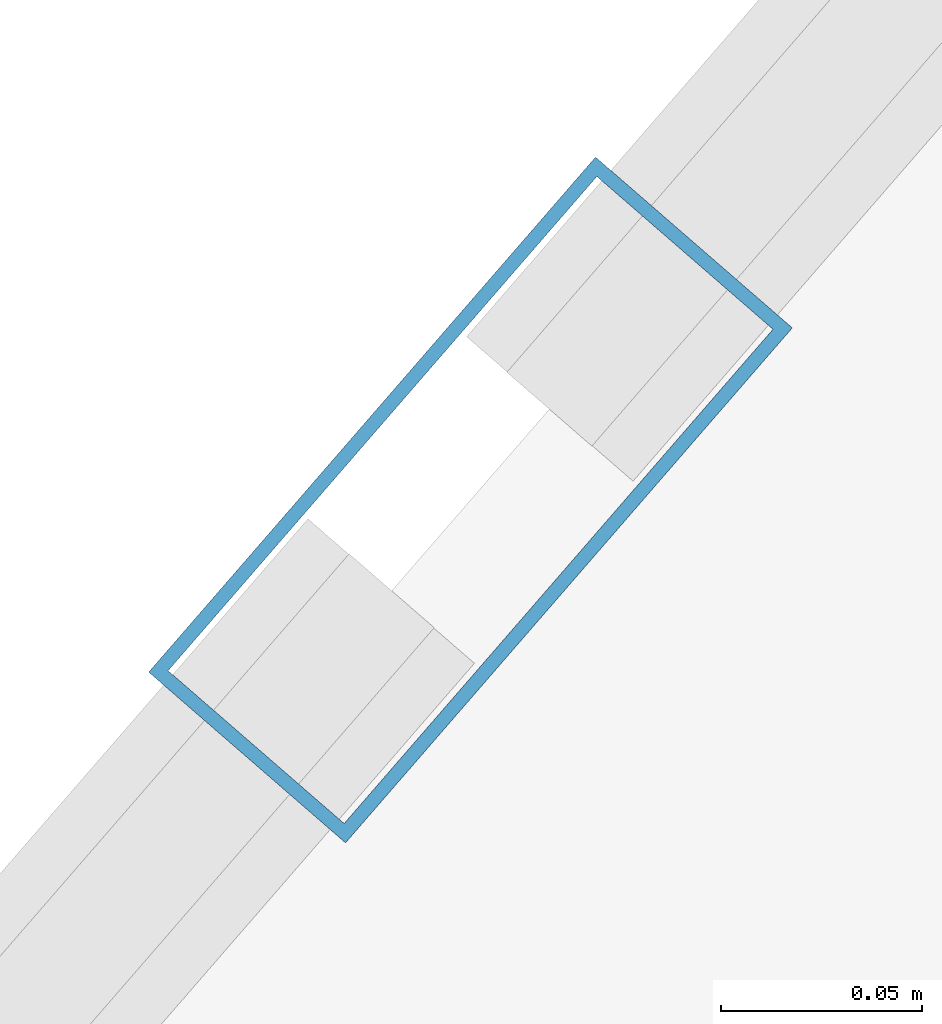
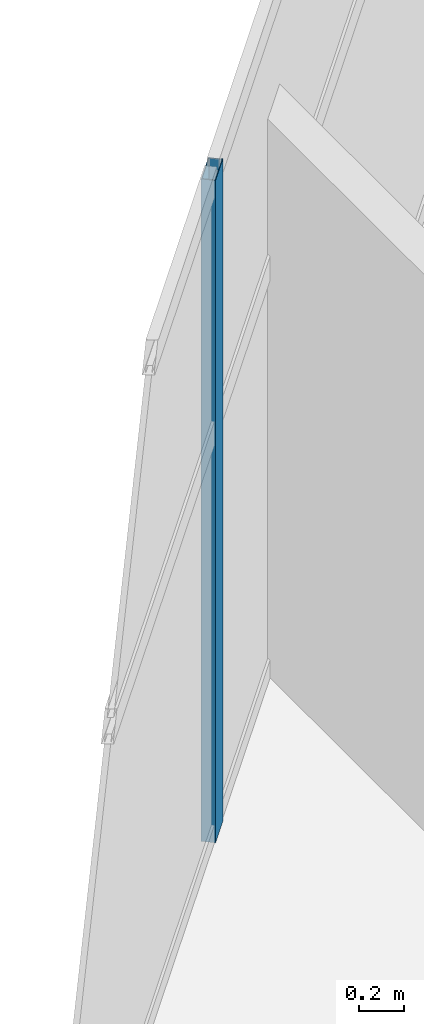
# One storey, part 13 of 29: 1 member, 1 element without a shape of its own.
"""IFC4 building model written with IfcOpenShell, lengths in metres."""

from ifc_helpers import new_model, si_unit, direction, frame, origin, origin_2d, place, context, subcontext, project, spatial, hollow_rectangle, extrude, material, layer, layer_set, material_profile, profile_set, type_object, element, aggregate, save


model = new_model("IFC4")

# Units and contexts
model_context = context("Model", 3, precision=1e-05, world=origin(), true_north=direction((0.0, 1.0)))
body_context = subcontext(model_context, "Body", "Model", "MODEL_VIEW")
ifc_project = project(units=[si_unit("LENGTHUNIT", "METRE"), si_unit("AREAUNIT", "SQUARE_METRE"), si_unit("VOLUMEUNIT", "CUBIC_METRE"), si_unit("PLANEANGLEUNIT", "RADIAN"), si_unit("MASSUNIT", "GRAM", prefix="KILO")], contexts=[model_context])

# Site, building, storey
site_placement = place(None, origin())
site = spatial("IfcSite", under=ifc_project, at=site_placement, CompositionType="ELEMENT")
building_placement = place(site_placement, origin())
building = spatial("IfcBuilding", under=site, at=building_placement, Name="Calvorn Quay Hotel", CompositionType="ELEMENT")
storey_placement = place(building_placement, frame((0.0, 0.0, 247.60009765625)))
storey = spatial("IfcBuildingStorey", under=building, at=storey_placement, Name="L61", CompositionType="ELEMENT", Elevation=247.60009765625)

# Curtain wall, member
ifc_material_1 = material(Name="Champagne Bronze Anodised Aluminium and Low-E Glass", Category="aluminium")
ifc_layer = layer(ifc_material_1, 0.219970703125)
ifc_layer_set = layer_set([ifc_layer], Name="CW-SYS-Z4")
curtain_wall_type = type_object("IfcCurtainWallType", Name="CW-SYS-Z4", PredefinedType="NOTDEFINED", material=ifc_layer_set)
curtain_wall_placement = place(storey_placement, origin())
curtain_wall = element("IfcCurtainWall", 1, at=curtain_wall_placement, inside=storey, type_object=curtain_wall_type, Name="Inner Court Curtain Wall L61-NE1", PredefinedType="NOTDEFINED")
ifc_material_2 = material(Name="Champagne Bronze Anodised Aluminium 6063-T6", Category="aluminium")
ifc_material_profile = material_profile(ifc_material_2, hollow_rectangle(XDim=0.06494140625, YDim=0.169921875, WallThickness=0.00341796875, at=origin_2d()), Name="ALU-M170x65x3.5")
ifc_profile_set = profile_set([ifc_material_profile], Name="Champagne Bronze Anodised Aluminium 6063-T6")
member_type = type_object("IfcMemberType", Name="CW-SYS-Z4-MUL", PredefinedType="MULLION", material=ifc_profile_set)
member_placement = place(storey_placement, frame((27.5, 31.199951171875, 0.0), z_axis=(0.0, 0.0, 1.0), x_axis=(0.755322467304, -0.655353317216, 0.0)))
member = element("IfcMember", 2, at=member_placement, type_object=member_type, Name="CW-L61-NE1 mullion 2", PredefinedType="MULLION", context=body_context, shape_type="SweptSolid", body=[
    extrude(hollow_rectangle(XDim=0.06494140625, YDim=0.169921875, WallThickness=0.00341796875, at=origin_2d()), origin(), (0.0, 0.0, 1.0), 3.559814453125),
])
aggregate(curtain_wall, [member])

save(model, "model.ifc")
